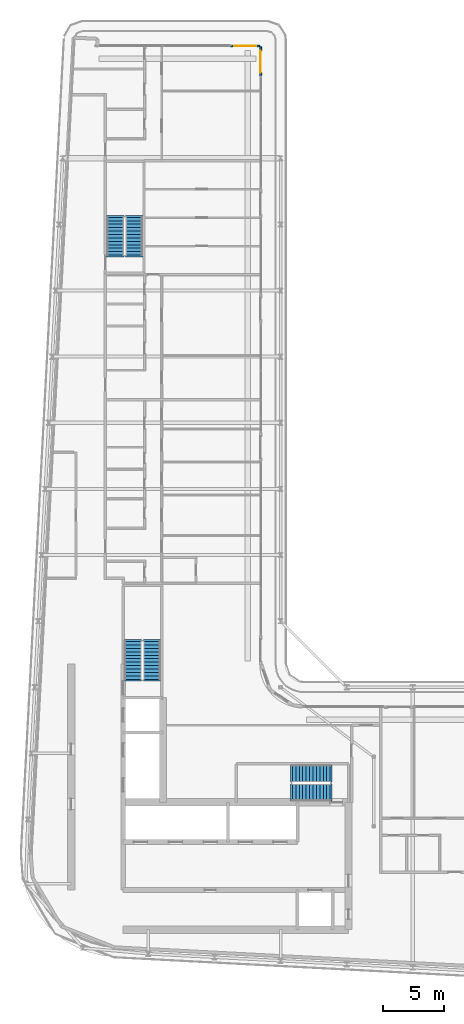
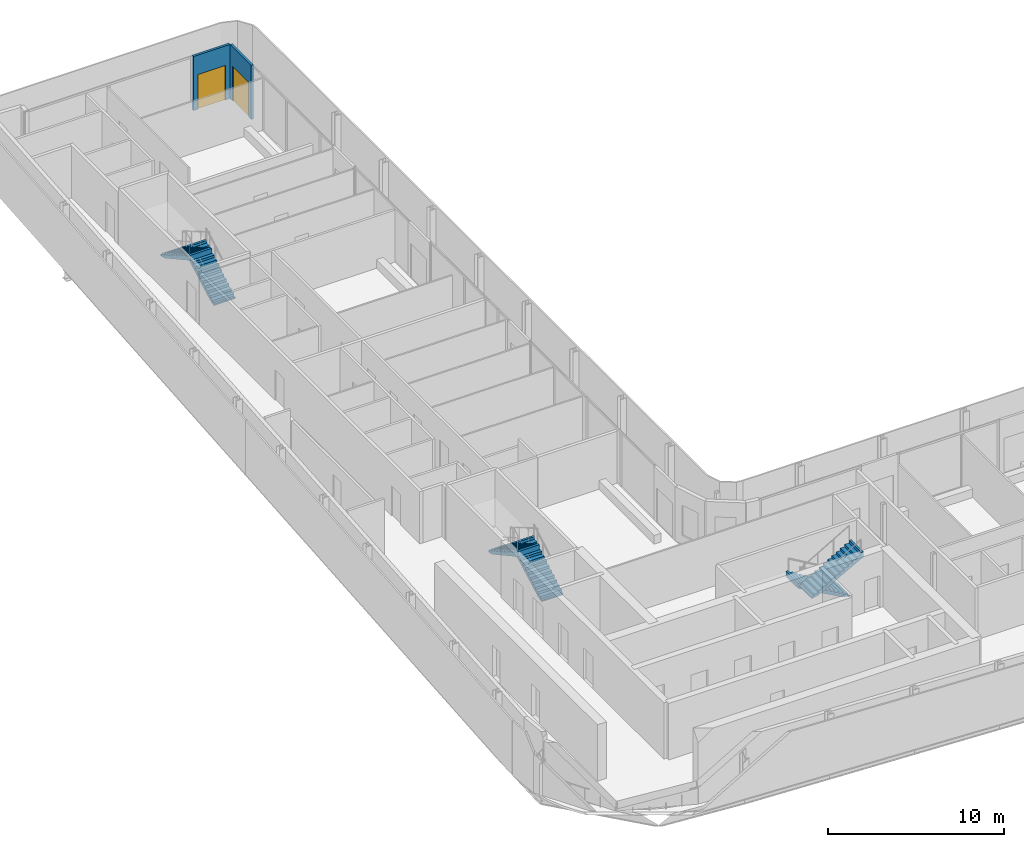
# One storey, part 15 of 21: 6 stair flights, 2 doors, 2 walls, 2 openings, 3 elements without a shape of their own.
"""IFC4 building model written with IfcOpenShell, lengths in metres."""

import ifcopenshell
import ifcopenshell.guid

model = None  # the IFC model being written
_history = None  # IfcOwnerHistory: only IFC2X3 demands one
_inside = {}  # id of a spatial element -> (the spatial element, [elements in it])
_under = {}  # id of a project, library or spatial element -> (it, [spatial elements below it])
_declared = {}  # id of a project -> (the project, [libraries it declares])
_typed = {}  # id of a type object -> (the type object, [elements of that type])
_made_of = {}  # id of a material, layer set ... -> (it, [elements and type objects made of it])


def new_model(schema):
    """Start an empty IFC model of exactly this schema.

    Asked for "IFC4X3", IfcOpenShell would pick the latest addendum, in which some entities
    have other attributes; the version numbers below select the first issue.
    IFC2X3 requires an IfcOwnerHistory on every rooted entity: one is made here for all.
    """
    global model, _history
    if schema == "IFC4X3":
        model = ifcopenshell.file(schema_version=(4, 3, 0, 0))
    else:
        model = ifcopenshell.file(schema=schema)
    _inside.clear()
    _under.clear()
    _declared.clear()
    _typed.clear()
    _made_of.clear()
    _history = None
    if model.schema == "IFC2X3":
        org = make("IfcOrganization", Name="unknown")
        user = make(
            "IfcPersonAndOrganization",
            ThePerson=make("IfcPerson", FamilyName="unknown"),
            TheOrganization=org,
        )
        app = make(
            "IfcApplication",
            ApplicationDeveloper=org,
            Version="unknown",
            ApplicationFullName="unknown",
            ApplicationIdentifier="unknown",
        )
        _history = make(
            "IfcOwnerHistory",
            OwningUser=user,
            OwningApplication=app,
            ChangeAction="ADDED",
            CreationDate=0,
        )
    return model


def make(cls, **values):
    """One entity of the class cls with the attributes given. An attribute that is None is left unset."""
    return model.create_entity(
        cls, **{name: value for name, value in values.items() if value is not None}
    )


def rooted(cls, **values):
    """An entity with a GlobalId (a new one), such as an element, a storey or a relation."""
    return make(cls, GlobalId=ifcopenshell.guid.new(), OwnerHistory=_history, **values)


def si_unit(unit_type, name, prefix=None):
    """IfcSIUnit, for example si_unit("LENGTHUNIT", "METRE", prefix="MILLI")."""
    return make("IfcSIUnit", UnitType=unit_type, Prefix=prefix, Name=name)


def assignment(units):
    """IfcUnitAssignment: the units of a project."""
    return None if units is None else make("IfcUnitAssignment", Units=units)


def point(xyz):
    """IfcCartesianPoint."""
    return None if xyz is None else make("IfcCartesianPoint", Coordinates=xyz)


def direction(xyz):
    """IfcDirection."""
    return None if xyz is None else make("IfcDirection", DirectionRatios=xyz)


def frame(location, z_axis=None, x_axis=None):
    """IfcAxis2Placement3D, a coordinate frame: its origin and axes. An axis left out is left unset."""
    return make(
        "IfcAxis2Placement3D",
        Location=point(location),
        Axis=direction(z_axis),
        RefDirection=direction(x_axis),
    )


def frame_2d(location, x_axis=None):
    """IfcAxis2Placement2D, a coordinate frame in the plane: its origin and x axis."""
    return make(
        "IfcAxis2Placement2D", Location=point(location), RefDirection=direction(x_axis)
    )


def origin():
    """The frame at (0, 0, 0) with its axes left unset."""
    return frame((0.0, 0.0, 0.0))


def place(relative_to, where):
    """IfcLocalPlacement: puts the frame where relative to a parent placement (None: the world)."""
    return make(
        "IfcLocalPlacement", PlacementRelTo=relative_to, RelativePlacement=where
    )


def context(
    kind, dimensions, precision=None, world=None, true_north=None, identifier=None
):
    """IfcGeometricRepresentationContext, for example the 3D "Model" context."""
    return make(
        "IfcGeometricRepresentationContext",
        ContextIdentifier=identifier,
        ContextType=kind,
        CoordinateSpaceDimension=dimensions,
        Precision=precision,
        WorldCoordinateSystem=world,
        TrueNorth=true_north,
    )


def subcontext(parent, identifier, kind, view, scale=None):
    """IfcGeometricRepresentationSubContext, for example "Body" below "Model"."""
    return make(
        "IfcGeometricRepresentationSubContext",
        ContextIdentifier=identifier,
        ContextType=kind,
        ParentContext=parent,
        TargetScale=scale,
        TargetView=view,
    )


def project(units=None, contexts=None):
    """IfcProject with its units and contexts."""
    return rooted(
        "IfcProject",
        Name="project",
        RepresentationContexts=contexts,
        UnitsInContext=assignment(units),
    )


def spatial(cls, under=None, at=None, **own):
    """A site, building, storey or space (cls), placed at a placement, below another one or the project."""
    s = rooted(cls, ObjectPlacement=at, **own)
    if under is not None:
        _under.setdefault(under.id(), (under, []))[1].append(s)
    return s


def polyline(points):
    """IfcPolyline through the points."""
    return make("IfcPolyline", Points=[point(p) for p in points])


def profile(cls, at=None, kind="AREA", **sizes):
    """A parametric profile (cls). Its sizes go by their IFC names, for example OverallWidth=200.0."""
    return make(cls, ProfileType=kind, Position=at, **sizes)


def rectangle(**sizes):
    """IfcRectangleProfileDef."""
    return profile("IfcRectangleProfileDef", **sizes)


def outline(outer, holes=None, kind="AREA"):
    """IfcArbitraryClosedProfileDef: a profile drawn as a closed curve; with holes, ...WithVoids."""
    if holes is None:
        return make("IfcArbitraryClosedProfileDef", ProfileType=kind, OuterCurve=outer)
    return make(
        "IfcArbitraryProfileDefWithVoids",
        ProfileType=kind,
        OuterCurve=outer,
        InnerCurves=holes,
    )


def extrude(swept, where, along, depth):
    """IfcExtrudedAreaSolid: the profile swept, set in the frame where, extruded along a direction by depth."""
    return make(
        "IfcExtrudedAreaSolid",
        SweptArea=swept,
        Position=where,
        ExtrudedDirection=direction(along),
        Depth=depth,
    )


def shape(context_of_items, identifier, shape_type, items):
    """IfcShapeRepresentation: the items that make up one representation, for example the "Body"."""
    return make(
        "IfcShapeRepresentation",
        ContextOfItems=context_of_items,
        RepresentationIdentifier=identifier,
        RepresentationType=shape_type,
        Items=items,
    )


def source(mapping_origin, context_of_items, identifier, shape_type, items):
    """IfcRepresentationMap: a shape defined once, which mapped items show again and again."""
    return make(
        "IfcRepresentationMap",
        MappingOrigin=mapping_origin,
        MappedRepresentation=shape(context_of_items, identifier, shape_type, items),
    )


def transform(
    local_origin,
    x_axis=None,
    y_axis=None,
    z_axis=None,
    scale=None,
    scale2=None,
    scale3=None,
    uniform=True,
):
    """IfcCartesianTransformationOperator3D, or its non-uniform kind. x_axis, y_axis, z_axis: its Axis1, 2, 3."""
    if uniform:
        return make(
            "IfcCartesianTransformationOperator3D",
            Axis1=direction(x_axis),
            Axis2=direction(y_axis),
            LocalOrigin=point(local_origin),
            Scale=scale,
            Axis3=direction(z_axis),
        )
    return make(
        "IfcCartesianTransformationOperator3DnonUniform",
        Axis1=direction(x_axis),
        Axis2=direction(y_axis),
        LocalOrigin=point(local_origin),
        Scale=scale,
        Axis3=direction(z_axis),
        Scale2=scale2,
        Scale3=scale3,
    )


def mapped(mapping_source, mapping_target):
    """IfcMappedItem: shows the shape of a source again, moved by a transform."""
    return make(
        "IfcMappedItem", MappingSource=mapping_source, MappingTarget=mapping_target
    )


def material(Name=None, Category=None):
    """IfcMaterial."""
    return make("IfcMaterial", Name=Name, Category=Category)


def layer(
    of_material, thickness, ventilated=None, Name=None, Category=None, Priority=None
):
    """IfcMaterialLayer: one layer of a wall or slab, of a material (None: an air gap)."""
    return make(
        "IfcMaterialLayer",
        Material=of_material,
        LayerThickness=thickness,
        IsVentilated=ventilated,
        Name=Name,
        Category=Category,
        Priority=Priority,
    )


def layer_set(layers, Name=None):
    """IfcMaterialLayerSet."""
    return make("IfcMaterialLayerSet", MaterialLayers=layers, LayerSetName=Name)


def made_of(thing, what):
    """Note that an element or type object is made of a material, layer set ...; save() writes the relation."""
    if what is not None:
        _made_of.setdefault(what.id(), (what, []))[1].append(thing)
    return thing


def type_object(cls, material=None, **own):
    """A type object (cls), such as IfcWallType, which elements share."""
    return made_of(rooted(cls, **own), material)


def element(
    cls,
    number,
    at=None,
    inside=None,
    cuts=None,
    type_object=None,
    material=None,
    context=None,
    identifier="Body",
    shape_type=None,
    held_by="IfcProductDefinitionShape",
    body=None,
    shapes=None,
    **own,
):
    """One element of the class cls, such as IfcWall. Its Tag is "e" and its number.

    at: its placement. inside: the storey or other place that contains it. cuts: it is an
    opening in that element (IfcRelVoidsElement). A single representation is given by context,
    identifier, shape_type and body (its items); several are given by shapes. held_by: the class
    of the entity that holds the representations. save() writes the other relations.
    """
    e = rooted(cls, Tag="e%d" % number, ObjectPlacement=at, **own)
    if body is not None:
        shapes = [shape(context, identifier, shape_type, body)]
    if shapes is not None:
        e.Representation = make(held_by, Representations=shapes)
    if inside is not None:
        _inside.setdefault(inside.id(), (inside, []))[1].append(e)
    if cuts is not None:
        rooted(
            "IfcRelVoidsElement", RelatingBuildingElement=cuts, RelatedOpeningElement=e
        )
    if type_object is not None:
        _typed.setdefault(type_object.id(), (type_object, []))[1].append(e)
    return made_of(e, material)


def fill(opening, filler):
    """IfcRelFillsElement: the door or window that sits in an opening."""
    return rooted(
        "IfcRelFillsElement",
        RelatingOpeningElement=opening,
        RelatedBuildingElement=filler,
    )


def aggregate(whole, parts):
    """IfcRelAggregates: a whole, such as a stair, and the parts it consists of."""
    return rooted("IfcRelAggregates", RelatingObject=whole, RelatedObjects=parts)


def save(model, path):
    """Write the relations noted so far, then the file.

    IfcRelAggregates (storeys below a building ...), IfcRelContainedInSpatialStructure (elements
    in a storey), IfcRelDefinesByType, IfcRelAssociatesMaterial and IfcRelDeclares: one each for
    every whole, place, type object, material and project.
    """
    for whole, parts in _under.values():
        aggregate(whole, parts)
    for where, things in _inside.values():
        rooted(
            "IfcRelContainedInSpatialStructure",
            RelatedElements=things,
            RelatingStructure=where,
        )
    for kind, things in _typed.values():
        rooted("IfcRelDefinesByType", RelatedObjects=things, RelatingType=kind)
    for what, things in _made_of.values():
        rooted("IfcRelAssociatesMaterial", RelatedObjects=things, RelatingMaterial=what)
    for by, libraries in _declared.values():
        rooted("IfcRelDeclares", RelatingContext=by, RelatedDefinitions=libraries)
    model.write(path)


model = new_model("IFC4")

# Units and contexts
model_context = context("Model", 3, precision=1e-05, world=origin(), true_north=direction((0.0, 1.0)))
body_context = subcontext(model_context, "Body", "Model", "MODEL_VIEW")
ifc_project = project(units=[si_unit("LENGTHUNIT", "METRE"), si_unit("AREAUNIT", "SQUARE_METRE"), si_unit("VOLUMEUNIT", "CUBIC_METRE"), si_unit("PLANEANGLEUNIT", "RADIAN"), si_unit("MASSUNIT", "GRAM", prefix="KILO")], contexts=[model_context])

# Site, building, storey
site_placement = place(None, origin())
site = spatial("IfcSite", under=ifc_project, at=site_placement, CompositionType="ELEMENT")
building_placement = place(site_placement, origin())
building = spatial("IfcBuilding", under=site, at=building_placement, Name="Kheshtan School and Residences Tower", CompositionType="ELEMENT")
storey_placement = place(building_placement, frame((0.0, 0.0, 305.89990234375)))
storey = spatial("IfcBuildingStorey", under=building, at=storey_placement, Name="L72", CompositionType="ELEMENT", Elevation=305.89990234375)

# Wall, opening, door
ifc_material_1 = material(Name="Aluminium frame wall with insulated infill", Category="aluminium")
ifc_layer_1 = layer(ifc_material_1, 0.14990234375)
ifc_layer_set_1 = layer_set([ifc_layer_1], Name="Glazing frame wall 150")
wall_type = type_object("IfcWallType", Name="Glazing frame wall 150", PredefinedType="SOLIDWALL", material=ifc_layer_set_1)
wall_1_placement = place(storey_placement, frame((43.5, 97.97509765625, 0.0), z_axis=(0.0, 0.0, 1.0), x_axis=(1.0, 0.0, 0.0)))
wall_1 = element("IfcWall", 1, at=wall_1_placement, inside=storey, type_object=wall_type, Name="Balcony door wall L72 7.1", PredefinedType="SOLIDWALL", context=body_context, shape_type="SweptSolid", body=[
    extrude(rectangle(XDim=2.39990234375, YDim=0.14990234375, at=frame_2d((1.199951171875, 0.0))), origin(), (0.0, 0.0, 1.0), 3.75),
])
opening_1_placement = place(wall_1_placement, frame((0.300048828125, 0.0, 0.0)))
opening_1 = element("IfcOpeningElement", 2, at=opening_1_placement, cuts=wall_1, Name="Opening BD", PredefinedType="OPENING", context=body_context, shape_type="SweptSolid", body=[
    extrude(rectangle(XDim=1.800048828125, YDim=2.39990234375, at=frame_2d((0.89990234375, 1.199951171875))), frame((0.0, 0.0849609375, 0.0), z_axis=(0.0, -1.0, 0.0), x_axis=(1.0, 0.0, 0.0)), (0.0, 0.0, 1.0), 0.169921875),
])
ifc_material_2 = material(Name="Clear low-e glass in thermally broken aluminium frame", Category="aluminium")
door_type = type_object("IfcDoorType", Name="Balcony sliding door", OperationType="SLIDING_TO_LEFT", PredefinedType="DOOR", material=ifc_material_2)
shared_shape = source(origin(), body_context, "Body", "SweptSolid", [
    extrude(rectangle(XDim=1.800048828125, YDim=2.39990234375, at=frame_2d((0.89990234375, 1.199951171875))), frame((0.0, 0.02490234375, 0.0), z_axis=(0.0, -1.0, 0.0), x_axis=(1.0, 0.0, 0.0)), (0.0, 0.0, 1.0), 0.050048828125),
])
door_1_placement = place(opening_1_placement, origin())
door_1 = element("IfcDoor", 3, at=door_1_placement, inside=storey, type_object=door_type, Name="Balcony door L72 7.1", OperationType="SLIDING_TO_LEFT", OverallHeight=2.39990234375, OverallWidth=1.800048828125, PredefinedType="DOOR", context=body_context, shape_type="MappedRepresentation", body=[
    mapped(shared_shape, transform((0.0, 0.0, 0.0), x_axis=(1.0, 0.0, 0.0), y_axis=(0.0, 1.0, 0.0), z_axis=(0.0, 0.0, 1.0), scale=1.0)),
])
fill(opening_1, door_1)

wall_2_placement = place(storey_placement, frame((45.97509765625, 97.89990234375, 0.0), z_axis=(0.0, 0.0, 1.0), x_axis=(0.0, -1.0, 0.0)))
wall_2 = element("IfcWall", 4, at=wall_2_placement, inside=storey, type_object=wall_type, Name="Balcony door wall L72 8.1", PredefinedType="SOLIDWALL", context=body_context, shape_type="SweptSolid", body=[
    extrude(rectangle(XDim=2.39990234375, YDim=0.14990234375, at=frame_2d((1.199951171875, 0.0))), origin(), (0.0, 0.0, 1.0), 3.75),
])
opening_2_placement = place(wall_2_placement, frame((0.300048828125, 0.0, 0.0)))
opening_2 = element("IfcOpeningElement", 5, at=opening_2_placement, cuts=wall_2, Name="Opening BD", PredefinedType="OPENING", context=body_context, shape_type="SweptSolid", body=[
    extrude(rectangle(XDim=1.800048828125, YDim=2.39990234375, at=frame_2d((0.89990234375, 1.199951171875))), frame((0.0, 0.0849609375, 0.0), z_axis=(0.0, -1.0, 0.0), x_axis=(1.0, 0.0, 0.0)), (0.0, 0.0, 1.0), 0.169921875),
])
door_2_placement = place(opening_2_placement, origin())
door_2 = element("IfcDoor", 6, at=door_2_placement, inside=storey, type_object=door_type, Name="Balcony door L72 8.1", OperationType="SLIDING_TO_LEFT", OverallHeight=2.39990234375, OverallWidth=1.800048828125, PredefinedType="DOOR", context=body_context, shape_type="MappedRepresentation", body=[
    mapped(shared_shape, transform((0.0, 0.0, 0.0), x_axis=(1.0, 0.0, 0.0), y_axis=(0.0, 1.0, 0.0), z_axis=(0.0, 0.0, 1.0), scale=1.0)),
])
fill(opening_2, door_2)

# Stair, stair flights
ifc_material_3 = material(Name="Concrete C40/50", Category="concrete")
stair_type = type_object("IfcStairType", Name="Exit stair, half-turn", PredefinedType="HALF_TURN_STAIR", material=ifc_material_3)
stair_1_placement = place(storey_placement, origin())
stair_1 = element("IfcStair", 7, at=stair_1_placement, inside=storey, type_object=stair_type, Name="L72 Protected Exit Stair ST1", PredefinedType="HALF_TURN_STAIR")
ifc_layer_2 = layer(ifc_material_3, 0.14990234375)
ifc_layer_set_2 = layer_set([ifc_layer_2], Name="Stair flight 1400 Concrete C40/50")
stair_flight_type = type_object("IfcStairFlightType", Name="Stair flight 1400 Concrete C40/50", PredefinedType="STRAIGHT", material=ifc_layer_set_2)
stair_flight_1_placement = place(storey_placement, frame((51.64990234375, 38.550048828125, 0.0), z_axis=(0.0, 0.0, 1.0), x_axis=(-1.0, 0.0, 0.0)))
stair_flight_1 = element("IfcStairFlight", 8, at=stair_flight_1_placement, type_object=stair_flight_type, Name="ST1 flight 1", NumberOfRisers=12, NumberOfTreads=11, PredefinedType="STRAIGHT", RiserHeight=0.1625, TreadLength=0.28, context=body_context, shape_type="SweptSolid", body=[
    extrude(outline(polyline([(-0.14990234375, -0.10009765625), (-0.14990234375, 0.0), (0.0, 0.0), (0.0, 0.16259765625), (0.280029296875, 0.16259765625), (0.280029296875, 0.324951171875), (0.56005859375, 0.324951171875), (0.56005859375, 0.487548828125), (0.840087890625, 0.487548828125), (0.840087890625, 0.64990234375), (1.1201171875, 0.64990234375), (1.1201171875, 0.8125), (1.39990234375, 0.8125), (1.39990234375, 0.97509765625), (1.679931640625, 0.97509765625), (1.679931640625, 1.137451171875), (1.9599609375, 1.137451171875), (1.9599609375, 1.300048828125), (2.239990234375, 1.300048828125), (2.239990234375, 1.46240234375), (2.52001953125, 1.46240234375), (2.52001953125, 1.625), (2.800048828125, 1.625), (2.800048828125, 1.78759765625), (3.080078125, 1.78759765625), (3.080078125, 1.949951171875), (3.080078125, 1.969970703125), (3.22998046875, 1.969970703125), (3.22998046875, 1.6142578125), (0.298583984375, 0.0), (-0.14990234375, -0.10009765625)])), frame((0.0, 0.699951171875, 0.0), z_axis=(0.0, -1.0, 0.0), x_axis=(1.0, 0.0, 0.0)), (0.0, 0.0, 1.0), 1.39990234375),
])
stair_flight_2_placement = place(storey_placement, frame((48.570068359375, 37.0, 1.9501953125), z_axis=(0.0, 0.0, 1.0), x_axis=(1.0, 0.0, 0.0)))
stair_flight_2 = element("IfcStairFlight", 9, at=stair_flight_2_placement, type_object=stair_flight_type, Name="ST1 flight 2", NumberOfRisers=12, NumberOfTreads=11, PredefinedType="STRAIGHT", RiserHeight=0.1625, TreadLength=0.28, context=body_context, shape_type="SweptSolid", body=[
    extrude(outline(polyline([(-0.14990234375, -0.10009765625), (-0.14990234375, 0.0), (0.0, 0.0), (0.0, 0.16259765625), (0.280029296875, 0.16259765625), (0.280029296875, 0.324951171875), (0.56005859375, 0.324951171875), (0.56005859375, 0.487548828125), (0.840087890625, 0.487548828125), (0.840087890625, 0.64990234375), (1.1201171875, 0.64990234375), (1.1201171875, 0.8125), (1.39990234375, 0.8125), (1.39990234375, 0.97509765625), (1.679931640625, 0.97509765625), (1.679931640625, 1.137451171875), (1.9599609375, 1.137451171875), (1.9599609375, 1.300048828125), (2.239990234375, 1.300048828125), (2.239990234375, 1.46240234375), (2.52001953125, 1.46240234375), (2.52001953125, 1.625), (2.800048828125, 1.625), (2.800048828125, 1.78759765625), (3.080078125, 1.78759765625), (3.080078125, 1.949951171875), (3.080078125, 1.969970703125), (3.22998046875, 1.969970703125), (3.22998046875, 1.6142578125), (0.298583984375, 0.0), (-0.14990234375, -0.10009765625)])), frame((0.0, 0.699951171875, 0.0), z_axis=(0.0, -1.0, 0.0), x_axis=(1.0, 0.0, 0.0)), (0.0, 0.0, 1.0), 1.39990234375),
])
aggregate(stair_1, [stair_flight_1, stair_flight_2])

stair_2_placement = place(storey_placement, origin())
stair_2 = element("IfcStair", 10, at=stair_2_placement, inside=storey, type_object=stair_type, Name="L72 Protected Exit Stair ST2", PredefinedType="HALF_TURN_STAIR")
stair_flight_3_placement = place(storey_placement, frame((37.10009765625, 46.25, 0.0), z_axis=(0.0, 0.0, 1.0), x_axis=(0.0, 1.0, 0.0)))
stair_flight_3 = element("IfcStairFlight", 11, at=stair_flight_3_placement, type_object=stair_flight_type, Name="ST2 flight 1", NumberOfRisers=12, NumberOfTreads=11, PredefinedType="STRAIGHT", RiserHeight=0.1625, TreadLength=0.28, context=body_context, shape_type="SweptSolid", body=[
    extrude(outline(polyline([(-0.14990234375, -0.10009765625), (-0.14990234375, 0.0), (0.0, 0.0), (0.0, 0.16259765625), (0.280029296875, 0.16259765625), (0.280029296875, 0.324951171875), (0.56005859375, 0.324951171875), (0.56005859375, 0.487548828125), (0.840087890625, 0.487548828125), (0.840087890625, 0.64990234375), (1.1201171875, 0.64990234375), (1.1201171875, 0.8125), (1.39990234375, 0.8125), (1.39990234375, 0.97509765625), (1.679931640625, 0.97509765625), (1.679931640625, 1.137451171875), (1.9599609375, 1.137451171875), (1.9599609375, 1.300048828125), (2.239990234375, 1.300048828125), (2.239990234375, 1.46240234375), (2.52001953125, 1.46240234375), (2.52001953125, 1.625), (2.800048828125, 1.625), (2.800048828125, 1.78759765625), (3.080078125, 1.78759765625), (3.080078125, 1.949951171875), (3.080078125, 1.969970703125), (3.22998046875, 1.969970703125), (3.22998046875, 1.6142578125), (0.298583984375, 0.0), (-0.14990234375, -0.10009765625)])), frame((0.0, 0.699951171875, 0.0), z_axis=(0.0, -1.0, 0.0), x_axis=(1.0, 0.0, 0.0)), (0.0, 0.0, 1.0), 1.39990234375),
])
stair_flight_4_placement = place(storey_placement, frame((35.550048828125, 49.330078125, 1.9501953125), z_axis=(0.0, 0.0, 1.0), x_axis=(0.0, -1.0, 0.0)))
stair_flight_4 = element("IfcStairFlight", 12, at=stair_flight_4_placement, type_object=stair_flight_type, Name="ST2 flight 2", NumberOfRisers=12, NumberOfTreads=11, PredefinedType="STRAIGHT", RiserHeight=0.1625, TreadLength=0.28, context=body_context, shape_type="SweptSolid", body=[
    extrude(outline(polyline([(-0.14990234375, -0.10009765625), (-0.14990234375, 0.0), (0.0, 0.0), (0.0, 0.16259765625), (0.280029296875, 0.16259765625), (0.280029296875, 0.324951171875), (0.56005859375, 0.324951171875), (0.56005859375, 0.487548828125), (0.840087890625, 0.487548828125), (0.840087890625, 0.64990234375), (1.1201171875, 0.64990234375), (1.1201171875, 0.8125), (1.39990234375, 0.8125), (1.39990234375, 0.97509765625), (1.679931640625, 0.97509765625), (1.679931640625, 1.137451171875), (1.9599609375, 1.137451171875), (1.9599609375, 1.300048828125), (2.239990234375, 1.300048828125), (2.239990234375, 1.46240234375), (2.52001953125, 1.46240234375), (2.52001953125, 1.625), (2.800048828125, 1.625), (2.800048828125, 1.78759765625), (3.080078125, 1.78759765625), (3.080078125, 1.949951171875), (3.080078125, 1.969970703125), (3.22998046875, 1.969970703125), (3.22998046875, 1.6142578125), (0.298583984375, 0.0), (-0.14990234375, -0.10009765625)])), frame((0.0, 0.699951171875, 0.0), z_axis=(0.0, -1.0, 0.0), x_axis=(1.0, 0.0, 0.0)), (0.0, 0.0, 1.0), 1.39990234375),
])
aggregate(stair_2, [stair_flight_3, stair_flight_4])

stair_3_placement = place(storey_placement, origin())
stair_3 = element("IfcStair", 13, at=stair_3_placement, inside=storey, type_object=stair_type, Name="L72 Protected Exit Stair ST3", PredefinedType="HALF_TURN_STAIR")
stair_flight_5_placement = place(storey_placement, frame((35.64990234375, 80.89990234375, 0.0), z_axis=(0.0, 0.0, 1.0), x_axis=(0.0, 1.0, 0.0)))
stair_flight_5 = element("IfcStairFlight", 14, at=stair_flight_5_placement, type_object=stair_flight_type, Name="ST3 flight 1", NumberOfRisers=12, NumberOfTreads=11, PredefinedType="STRAIGHT", RiserHeight=0.1625, TreadLength=0.28, context=body_context, shape_type="SweptSolid", body=[
    extrude(outline(polyline([(-0.14990234375, -0.10009765625), (-0.14990234375, 0.0), (0.0, 0.0), (0.0, 0.16259765625), (0.280029296875, 0.16259765625), (0.280029296875, 0.324951171875), (0.56005859375, 0.324951171875), (0.56005859375, 0.487548828125), (0.840087890625, 0.487548828125), (0.840087890625, 0.64990234375), (1.1201171875, 0.64990234375), (1.1201171875, 0.8125), (1.39990234375, 0.8125), (1.39990234375, 0.97509765625), (1.679931640625, 0.97509765625), (1.679931640625, 1.137451171875), (1.9599609375, 1.137451171875), (1.9599609375, 1.300048828125), (2.239990234375, 1.300048828125), (2.239990234375, 1.46240234375), (2.52001953125, 1.46240234375), (2.52001953125, 1.625), (2.800048828125, 1.625), (2.800048828125, 1.78759765625), (3.080078125, 1.78759765625), (3.080078125, 1.949951171875), (3.080078125, 1.969970703125), (3.22998046875, 1.969970703125), (3.22998046875, 1.6142578125), (0.298583984375, 0.0), (-0.14990234375, -0.10009765625)])), frame((0.0, 0.699951171875, 0.0), z_axis=(0.0, -1.0, 0.0), x_axis=(1.0, 0.0, 0.0)), (0.0, 0.0, 1.0), 1.39990234375),
])
stair_flight_6_placement = place(storey_placement, frame((34.10009765625, 83.97998046875, 1.9501953125), z_axis=(0.0, 0.0, 1.0), x_axis=(0.0, -1.0, 0.0)))
stair_flight_6 = element("IfcStairFlight", 15, at=stair_flight_6_placement, type_object=stair_flight_type, Name="ST3 flight 2", NumberOfRisers=12, NumberOfTreads=11, PredefinedType="STRAIGHT", RiserHeight=0.1625, TreadLength=0.28, context=body_context, shape_type="SweptSolid", body=[
    extrude(outline(polyline([(-0.14990234375, -0.10009765625), (-0.14990234375, 0.0), (0.0, 0.0), (0.0, 0.16259765625), (0.280029296875, 0.16259765625), (0.280029296875, 0.324951171875), (0.56005859375, 0.324951171875), (0.56005859375, 0.487548828125), (0.840087890625, 0.487548828125), (0.840087890625, 0.64990234375), (1.1201171875, 0.64990234375), (1.1201171875, 0.8125), (1.39990234375, 0.8125), (1.39990234375, 0.97509765625), (1.679931640625, 0.97509765625), (1.679931640625, 1.137451171875), (1.9599609375, 1.137451171875), (1.9599609375, 1.300048828125), (2.239990234375, 1.300048828125), (2.239990234375, 1.46240234375), (2.52001953125, 1.46240234375), (2.52001953125, 1.625), (2.800048828125, 1.625), (2.800048828125, 1.78759765625), (3.080078125, 1.78759765625), (3.080078125, 1.949951171875), (3.080078125, 1.969970703125), (3.22998046875, 1.969970703125), (3.22998046875, 1.6142578125), (0.298583984375, 0.0), (-0.14990234375, -0.10009765625)])), frame((0.0, 0.699951171875, 0.0), z_axis=(0.0, -1.0, 0.0), x_axis=(1.0, 0.0, 0.0)), (0.0, 0.0, 1.0), 1.39990234375),
])
aggregate(stair_3, [stair_flight_5, stair_flight_6])

save(model, "model.ifc")
